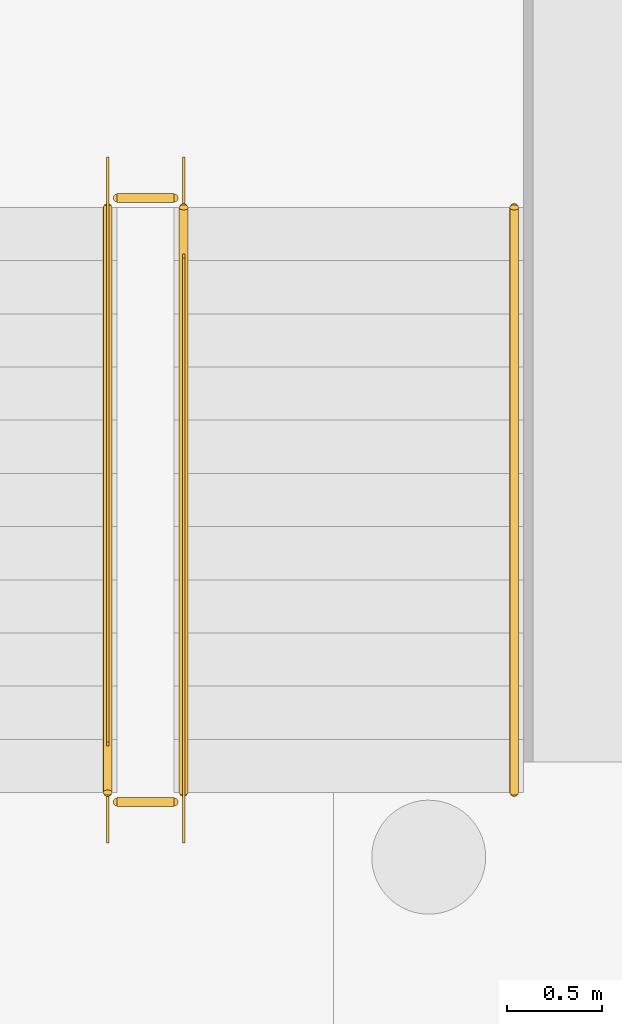
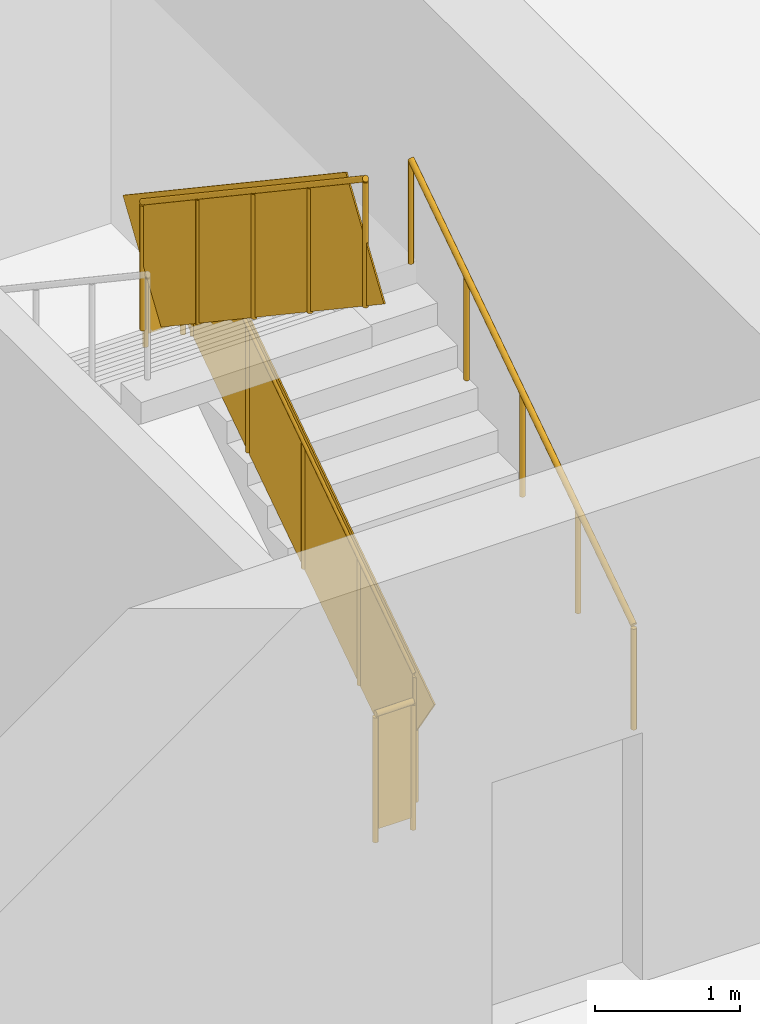
# One storey, part 37 of 42: 5 railings.
"""IFC4 building model written with IfcOpenShell, lengths in metres."""

from ifc_helpers import new_model, si_unit, direction, frame, origin, origin_2d, place, context, subcontext, project, spatial, rectangle, circle, extrude, material, type_object, element, save


model = new_model("IFC4")

# Units and contexts
model_context = context("Model", 3, precision=1e-05, world=origin(), true_north=direction((0.0, 1.0)))
body_context = subcontext(model_context, "Body", "Model", "MODEL_VIEW")
ifc_project = project(units=[si_unit("LENGTHUNIT", "METRE"), si_unit("AREAUNIT", "SQUARE_METRE"), si_unit("VOLUMEUNIT", "CUBIC_METRE"), si_unit("PLANEANGLEUNIT", "RADIAN"), si_unit("MASSUNIT", "GRAM", prefix="KILO")], contexts=[model_context])

# Site, building, storey
site_placement = place(None, origin())
site = spatial("IfcSite", under=ifc_project, at=site_placement, CompositionType="ELEMENT")
building_placement = place(site_placement, origin())
building = spatial("IfcBuilding", under=site, at=building_placement, Name="Dilmun Exchange Tower", CompositionType="ELEMENT")
storey_placement = place(building_placement, origin())
storey = spatial("IfcBuildingStorey", under=building, at=storey_placement, Name="L00", CompositionType="ELEMENT", Elevation=0.0)

# Railings
ifc_material = material(Name="Steel S355", Category="steel")
railing_type_1 = type_object("IfcRailingType", Name="School stair guard 1100", PredefinedType="GUARDRAIL", material=ifc_material)
railing_1_placement = place(storey_placement, frame((1.54296875, -57.7099609375, 0.1875)))
element("IfcRailing", 1, at=railing_1_placement, inside=storey, type_object=railing_type_1, Name="L00 SCH-S3 stair guard 1", PredefinedType="GUARDRAIL", context=body_context, shape_type="SweptSolid", body=[
    extrude(circle(Radius=0.02392578125, at=origin_2d()), frame((0.0, 0.0, 1.076171875), z_axis=(0.0, 0.830913701846, 0.55640131208), x_axis=(-1.0, 0.0, 0.0)), (0.0, 0.0, 1.0), 3.706787109375),
    extrude(rectangle(XDim=0.011962890625, YDim=0.951904296875, at=origin_2d()), frame((0.0, 0.0, 0.576171875), z_axis=(0.0, 0.830913701846, 0.55640131208), x_axis=(-1.0, 0.0, 0.0)), (0.0, 0.0, 1.0), 3.706787109375),
    extrude(circle(Radius=0.02099609375, at=origin_2d()), origin(), (0.0, 0.0, 1.0), 1.052001953125),
    extrude(circle(Radius=0.02099609375, at=origin_2d()), frame((0.0, 0.77001953125, 0.515625)), (0.0, 0.0, 1.0), 1.052001953125),
    extrude(circle(Radius=0.02099609375, at=origin_2d()), frame((0.0, 1.5400390625, 1.03125)), (0.0, 0.0, 1.0), 1.052001953125),
    extrude(circle(Radius=0.02099609375, at=origin_2d()), frame((0.0, 2.31005859375, 1.546875)), (0.0, 0.0, 1.0), 1.052001953125),
    extrude(circle(Radius=0.02099609375, at=origin_2d()), frame((0.0, 3.080078125, 2.0625)), (0.0, 0.0, 1.0), 1.052001953125),
])
railing_2_placement = place(storey_placement, frame((1.492919921875, -54.580078125, 2.25)))
element("IfcRailing", 2, at=railing_2_placement, inside=storey, type_object=railing_type_1, Name="L00 SCH-S3 stair guard 2", PredefinedType="GUARDRAIL", context=body_context, shape_type="SweptSolid", body=[
    extrude(circle(Radius=0.02392578125, at=origin_2d()), frame((0.0, 0.0, 1.076171875), z_axis=(-1.0, 0.0, 0.0), x_axis=(0.0, -1.0, 0.0)), (0.0, 0.0, 1.0), 0.2998046875),
    extrude(rectangle(XDim=0.011962890625, YDim=0.951904296875, at=origin_2d()), frame((0.0, 0.0, 0.576171875), z_axis=(-1.0, 0.0, 0.0), x_axis=(0.0, -1.0, 0.0)), (0.0, 0.0, 1.0), 0.2998046875),
    extrude(circle(Radius=0.02099609375, at=origin_2d()), origin(), (0.0, 0.0, 1.0), 1.052001953125),
    extrude(circle(Radius=0.02099609375, at=origin_2d()), frame((-0.2998046875, 0.0, 0.0)), (0.0, 0.0, 1.0), 1.052001953125),
])
railing_3_placement = place(storey_placement, frame((1.14306640625, -54.6298828125, 2.4375)))
element("IfcRailing", 3, at=railing_3_placement, inside=storey, type_object=railing_type_1, Name="L00 SCH-S3 stair guard 3", PredefinedType="GUARDRAIL", context=body_context, shape_type="SweptSolid", body=[
    extrude(circle(Radius=0.02392578125, at=origin_2d()), frame((0.0, 0.0, 1.076171875), z_axis=(0.0, -0.830913701846, 0.55640131208), x_axis=(1.0, 0.0, 0.0)), (0.0, 0.0, 1.0), 3.706787109375),
    extrude(rectangle(XDim=0.011962890625, YDim=0.951904296875, at=origin_2d()), frame((0.0, 0.0, 0.576171875), z_axis=(0.0, -0.830913701846, 0.55640131208), x_axis=(1.0, 0.0, 0.0)), (0.0, 0.0, 1.0), 3.706787109375),
    extrude(circle(Radius=0.02099609375, at=origin_2d()), origin(), (0.0, 0.0, 1.0), 1.052001953125),
    extrude(circle(Radius=0.02099609375, at=origin_2d()), frame((0.0, -0.77001953125, 0.515625)), (0.0, 0.0, 1.0), 1.052001953125),
    extrude(circle(Radius=0.02099609375, at=origin_2d()), frame((0.0, -1.5400390625, 1.03125)), (0.0, 0.0, 1.0), 1.052001953125),
    extrude(circle(Radius=0.02099609375, at=origin_2d()), frame((0.0, -2.31005859375, 1.546875)), (0.0, 0.0, 1.0), 1.052001953125),
    extrude(circle(Radius=0.02099609375, at=origin_2d()), frame((0.0, -3.080078125, 2.0625)), (0.0, 0.0, 1.0), 1.052001953125),
])
railing_4_placement = place(storey_placement, frame((1.492919921875, -57.760009765625, 0.0)))
element("IfcRailing", 4, at=railing_4_placement, inside=storey, type_object=railing_type_1, Name="L00 SCH-S3 stair guard 4", PredefinedType="GUARDRAIL", context=body_context, shape_type="SweptSolid", body=[
    extrude(circle(Radius=0.02392578125, at=origin_2d()), frame((0.0, 0.0, 1.076171875), z_axis=(-1.0, 0.0, 0.0), x_axis=(0.0, -1.0, 0.0)), (0.0, 0.0, 1.0), 0.2998046875),
    extrude(rectangle(XDim=0.011962890625, YDim=0.951904296875, at=origin_2d()), frame((0.0, 0.0, 0.576171875), z_axis=(-1.0, 0.0, 0.0), x_axis=(0.0, -1.0, 0.0)), (0.0, 0.0, 1.0), 0.2998046875),
    extrude(circle(Radius=0.02099609375, at=origin_2d()), origin(), (0.0, 0.0, 1.0), 1.052001953125),
    extrude(circle(Radius=0.02099609375, at=origin_2d()), frame((-0.2998046875, 0.0, 0.0)), (0.0, 0.0, 1.0), 1.052001953125),
])
railing_type_2 = type_object("IfcRailingType", Name="School stair handrail 900", PredefinedType="HANDRAIL", material=ifc_material)
railing_5_placement = place(storey_placement, frame((3.282958984375, -57.7099609375, 0.1875)))
element("IfcRailing", 5, at=railing_5_placement, inside=storey, type_object=railing_type_2, Name="L00 SCH-S3 stair handrail 1", PredefinedType="HANDRAIL", context=body_context, shape_type="SweptSolid", body=[
    extrude(circle(Radius=0.02392578125, at=origin_2d()), frame((0.0, 0.0, 0.8759765625), z_axis=(0.0, 0.830913701846, 0.55640131208), x_axis=(-1.0, 0.0, 0.0)), (0.0, 0.0, 1.0), 3.706787109375),
    extrude(circle(Radius=0.02099609375, at=origin_2d()), origin(), (0.0, 0.0, 1.0), 0.851806640625),
    extrude(circle(Radius=0.02099609375, at=origin_2d()), frame((0.0, 0.77001953125, 0.515625)), (0.0, 0.0, 1.0), 0.851806640625),
    extrude(circle(Radius=0.02099609375, at=origin_2d()), frame((0.0, 1.5400390625, 1.03125)), (0.0, 0.0, 1.0), 0.851806640625),
    extrude(circle(Radius=0.02099609375, at=origin_2d()), frame((0.0, 2.31005859375, 1.546875)), (0.0, 0.0, 1.0), 0.851806640625),
    extrude(circle(Radius=0.02099609375, at=origin_2d()), frame((0.0, 3.080078125, 2.0625)), (0.0, 0.0, 1.0), 0.851806640625),
])

save(model, "model.ifc")
